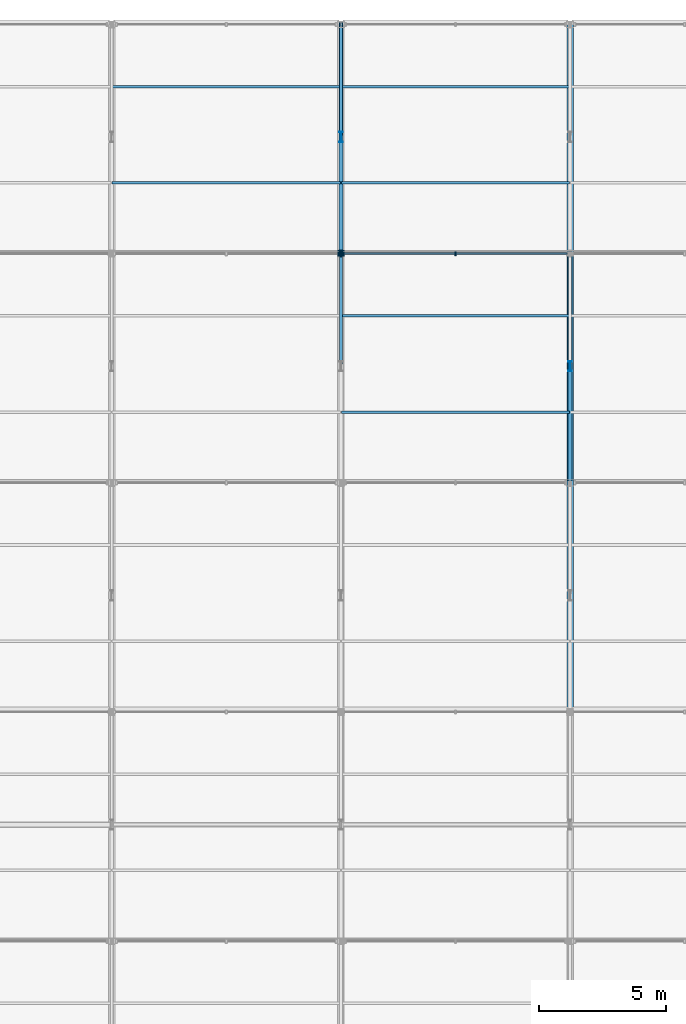
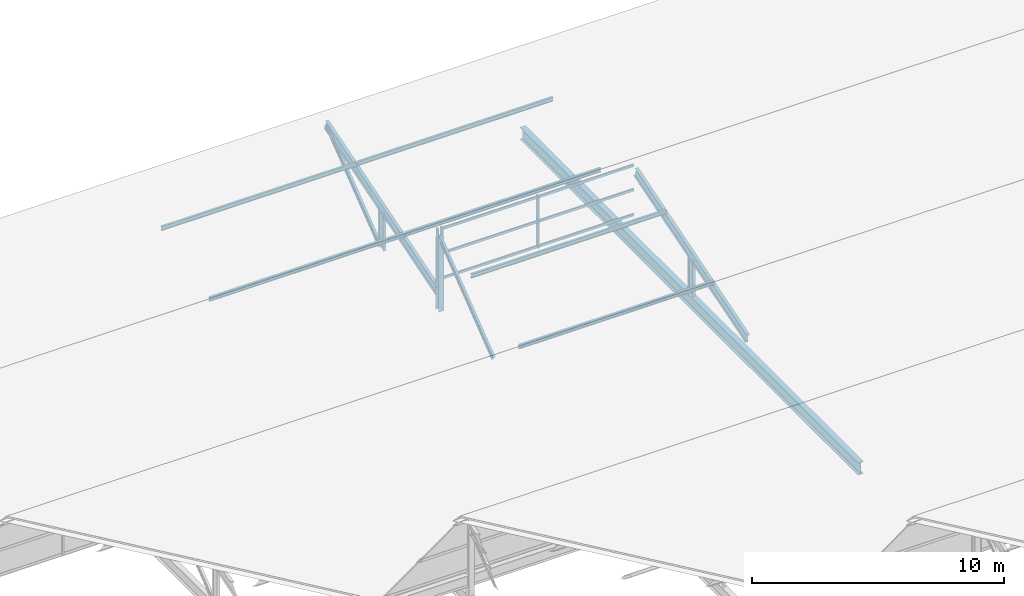
# One storey, part 98 of 163: 22 members, 1 beam, 2 elements without a shape of their own.
"""IFC4 building model written with IfcOpenShell, lengths in metres."""

import ifcopenshell
import ifcopenshell.guid

model = None  # the IFC model being written
_history = None  # IfcOwnerHistory: only IFC2X3 demands one
_inside = {}  # id of a spatial element -> (the spatial element, [elements in it])
_under = {}  # id of a project, library or spatial element -> (it, [spatial elements below it])
_declared = {}  # id of a project -> (the project, [libraries it declares])
_typed = {}  # id of a type object -> (the type object, [elements of that type])
_made_of = {}  # id of a material, layer set ... -> (it, [elements and type objects made of it])


def new_model(schema):
    """Start an empty IFC model of exactly this schema.

    Asked for "IFC4X3", IfcOpenShell would pick the latest addendum, in which some entities
    have other attributes; the version numbers below select the first issue.
    IFC2X3 requires an IfcOwnerHistory on every rooted entity: one is made here for all.
    """
    global model, _history
    if schema == "IFC4X3":
        model = ifcopenshell.file(schema_version=(4, 3, 0, 0))
    else:
        model = ifcopenshell.file(schema=schema)
    _inside.clear()
    _under.clear()
    _declared.clear()
    _typed.clear()
    _made_of.clear()
    _history = None
    if model.schema == "IFC2X3":
        org = make("IfcOrganization", Name="unknown")
        user = make(
            "IfcPersonAndOrganization",
            ThePerson=make("IfcPerson", FamilyName="unknown"),
            TheOrganization=org,
        )
        app = make(
            "IfcApplication",
            ApplicationDeveloper=org,
            Version="unknown",
            ApplicationFullName="unknown",
            ApplicationIdentifier="unknown",
        )
        _history = make(
            "IfcOwnerHistory",
            OwningUser=user,
            OwningApplication=app,
            ChangeAction="ADDED",
            CreationDate=0,
        )
    return model


def make(cls, **values):
    """One entity of the class cls with the attributes given. An attribute that is None is left unset."""
    return model.create_entity(
        cls, **{name: value for name, value in values.items() if value is not None}
    )


def rooted(cls, **values):
    """An entity with a GlobalId (a new one), such as an element, a storey or a relation."""
    return make(cls, GlobalId=ifcopenshell.guid.new(), OwnerHistory=_history, **values)


def si_unit(unit_type, name, prefix=None):
    """IfcSIUnit, for example si_unit("LENGTHUNIT", "METRE", prefix="MILLI")."""
    return make("IfcSIUnit", UnitType=unit_type, Prefix=prefix, Name=name)


def assignment(units):
    """IfcUnitAssignment: the units of a project."""
    return None if units is None else make("IfcUnitAssignment", Units=units)


def point(xyz):
    """IfcCartesianPoint."""
    return None if xyz is None else make("IfcCartesianPoint", Coordinates=xyz)


def direction(xyz):
    """IfcDirection."""
    return None if xyz is None else make("IfcDirection", DirectionRatios=xyz)


def frame(location, z_axis=None, x_axis=None):
    """IfcAxis2Placement3D, a coordinate frame: its origin and axes. An axis left out is left unset."""
    return make(
        "IfcAxis2Placement3D",
        Location=point(location),
        Axis=direction(z_axis),
        RefDirection=direction(x_axis),
    )


def frame_2d(location, x_axis=None):
    """IfcAxis2Placement2D, a coordinate frame in the plane: its origin and x axis."""
    return make(
        "IfcAxis2Placement2D", Location=point(location), RefDirection=direction(x_axis)
    )


def origin():
    """The frame at (0, 0, 0) with its axes left unset."""
    return frame((0.0, 0.0, 0.0))


def origin_2d():
    """The frame at (0, 0) in the plane with its x axis left unset."""
    return frame_2d((0.0, 0.0))


def place(relative_to, where):
    """IfcLocalPlacement: puts the frame where relative to a parent placement (None: the world)."""
    return make(
        "IfcLocalPlacement", PlacementRelTo=relative_to, RelativePlacement=where
    )


def context(
    kind, dimensions, precision=None, world=None, true_north=None, identifier=None
):
    """IfcGeometricRepresentationContext, for example the 3D "Model" context."""
    return make(
        "IfcGeometricRepresentationContext",
        ContextIdentifier=identifier,
        ContextType=kind,
        CoordinateSpaceDimension=dimensions,
        Precision=precision,
        WorldCoordinateSystem=world,
        TrueNorth=true_north,
    )


def subcontext(parent, identifier, kind, view, scale=None):
    """IfcGeometricRepresentationSubContext, for example "Body" below "Model"."""
    return make(
        "IfcGeometricRepresentationSubContext",
        ContextIdentifier=identifier,
        ContextType=kind,
        ParentContext=parent,
        TargetScale=scale,
        TargetView=view,
    )


def project(units=None, contexts=None):
    """IfcProject with its units and contexts."""
    return rooted(
        "IfcProject",
        Name="project",
        RepresentationContexts=contexts,
        UnitsInContext=assignment(units),
    )


def spatial(cls, under=None, at=None, **own):
    """A site, building, storey or space (cls), placed at a placement, below another one or the project."""
    s = rooted(cls, ObjectPlacement=at, **own)
    if under is not None:
        _under.setdefault(under.id(), (under, []))[1].append(s)
    return s


def profile(cls, at=None, kind="AREA", **sizes):
    """A parametric profile (cls). Its sizes go by their IFC names, for example OverallWidth=200.0."""
    return make(cls, ProfileType=kind, Position=at, **sizes)


def rectangle(**sizes):
    """IfcRectangleProfileDef."""
    return profile("IfcRectangleProfileDef", **sizes)


def i_section(**sizes):
    """IfcIShapeProfileDef."""
    return profile("IfcIShapeProfileDef", **sizes)


def extrude(swept, where, along, depth):
    """IfcExtrudedAreaSolid: the profile swept, set in the frame where, extruded along a direction by depth."""
    return make(
        "IfcExtrudedAreaSolid",
        SweptArea=swept,
        Position=where,
        ExtrudedDirection=direction(along),
        Depth=depth,
    )


def shape(context_of_items, identifier, shape_type, items):
    """IfcShapeRepresentation: the items that make up one representation, for example the "Body"."""
    return make(
        "IfcShapeRepresentation",
        ContextOfItems=context_of_items,
        RepresentationIdentifier=identifier,
        RepresentationType=shape_type,
        Items=items,
    )


def material(Name=None, Category=None):
    """IfcMaterial."""
    return make("IfcMaterial", Name=Name, Category=Category)


def material_profile(
    of_material, cross_section, Name=None, Category=None, Priority=None
):
    """IfcMaterialProfile: a cross section and its material."""
    return make(
        "IfcMaterialProfile",
        Name=Name,
        Material=of_material,
        Profile=cross_section,
        Priority=Priority,
        Category=Category,
    )


def profile_set(profiles, Name=None, composite=None):
    """IfcMaterialProfileSet."""
    return make(
        "IfcMaterialProfileSet",
        Name=Name,
        MaterialProfiles=profiles,
        CompositeProfile=composite,
    )


def made_of(thing, what):
    """Note that an element or type object is made of a material, layer set ...; save() writes the relation."""
    if what is not None:
        _made_of.setdefault(what.id(), (what, []))[1].append(thing)
    return thing


def type_object(cls, material=None, **own):
    """A type object (cls), such as IfcWallType, which elements share."""
    return made_of(rooted(cls, **own), material)


def element(
    cls,
    number,
    at=None,
    inside=None,
    cuts=None,
    type_object=None,
    material=None,
    context=None,
    identifier="Body",
    shape_type=None,
    held_by="IfcProductDefinitionShape",
    body=None,
    shapes=None,
    **own,
):
    """One element of the class cls, such as IfcWall. Its Tag is "e" and its number.

    at: its placement. inside: the storey or other place that contains it. cuts: it is an
    opening in that element (IfcRelVoidsElement). A single representation is given by context,
    identifier, shape_type and body (its items); several are given by shapes. held_by: the class
    of the entity that holds the representations. save() writes the other relations.
    """
    e = rooted(cls, Tag="e%d" % number, ObjectPlacement=at, **own)
    if body is not None:
        shapes = [shape(context, identifier, shape_type, body)]
    if shapes is not None:
        e.Representation = make(held_by, Representations=shapes)
    if inside is not None:
        _inside.setdefault(inside.id(), (inside, []))[1].append(e)
    if cuts is not None:
        rooted(
            "IfcRelVoidsElement", RelatingBuildingElement=cuts, RelatedOpeningElement=e
        )
    if type_object is not None:
        _typed.setdefault(type_object.id(), (type_object, []))[1].append(e)
    return made_of(e, material)


def aggregate(whole, parts):
    """IfcRelAggregates: a whole, such as a stair, and the parts it consists of."""
    return rooted("IfcRelAggregates", RelatingObject=whole, RelatedObjects=parts)


def save(model, path):
    """Write the relations noted so far, then the file.

    IfcRelAggregates (storeys below a building ...), IfcRelContainedInSpatialStructure (elements
    in a storey), IfcRelDefinesByType, IfcRelAssociatesMaterial and IfcRelDeclares: one each for
    every whole, place, type object, material and project.
    """
    for whole, parts in _under.values():
        aggregate(whole, parts)
    for where, things in _inside.values():
        rooted(
            "IfcRelContainedInSpatialStructure",
            RelatedElements=things,
            RelatingStructure=where,
        )
    for kind, things in _typed.values():
        rooted("IfcRelDefinesByType", RelatedObjects=things, RelatingType=kind)
    for what, things in _made_of.values():
        rooted("IfcRelAssociatesMaterial", RelatedObjects=things, RelatingMaterial=what)
    for by, libraries in _declared.values():
        rooted("IfcRelDeclares", RelatingContext=by, RelatedDefinitions=libraries)
    model.write(path)


model = new_model("IFC4")

# Units and contexts
model_context = context("Model", 3, precision=1e-05, world=origin(), true_north=direction((0.0, 1.0)))
body_context = subcontext(model_context, "Body", "Model", "MODEL_VIEW")
ifc_project = project(units=[si_unit("LENGTHUNIT", "METRE"), si_unit("AREAUNIT", "SQUARE_METRE"), si_unit("VOLUMEUNIT", "CUBIC_METRE"), si_unit("PLANEANGLEUNIT", "RADIAN"), si_unit("MASSUNIT", "GRAM", prefix="KILO")], contexts=[model_context])

# Site, building, storey
site_placement = place(None, origin())
site = spatial("IfcSite", under=ifc_project, at=site_placement, CompositionType="ELEMENT")
building_placement = place(site_placement, origin())
building = spatial("IfcBuilding", under=site, at=building_placement, Name="Tharagai Park Tramway Depot", CompositionType="ELEMENT")
storey_placement = place(building_placement, frame((0.0, 0.0, 8.39990234375)))
storey = spatial("IfcBuildingStorey", under=building, at=storey_placement, Name="L02", CompositionType="ELEMENT", Elevation=8.39990234375)

# Beam
ifc_material_1 = material(Name="Steel E350", Category="steel")
ifc_material_profile_1 = material_profile(ifc_material_1, i_section(OverallWidth=0.25, OverallDepth=0.60009765625, WebThickness=0.01171875, FlangeThickness=0.023681640625, FilletRadius=0.01708984375, at=origin_2d()), Name="ISWB 600")
ifc_profile_set_1 = profile_set([ifc_material_profile_1], Name="Steel E350")
beam_type = type_object("IfcBeamType", Name="BM-01", PredefinedType="BEAM", material=ifc_profile_set_1)
beam_placement = place(storey_placement, frame((81.0, 117.080078125, -0.25), z_axis=(0.0, 1.0, 0.0), x_axis=(-1.0, 0.0, 0.0)))
element("IfcBeam", 1, at=beam_placement, inside=storey, type_object=beam_type, Name="Sawtooth Truss Bottom Tie Girder BM-01", PredefinedType="BEAM", context=body_context, shape_type="SweptSolid", body=[
    extrude(i_section(OverallWidth=0.25, OverallDepth=0.60009765625, WebThickness=0.01171875, FlangeThickness=0.023681640625, FilletRadius=0.01708984375, at=origin_2d()), origin(), (0.0, 0.0, 1.0), 26.83984375),
])

# Members
ifc_material_profile_2 = material_profile(ifc_material_1, i_section(OverallWidth=0.25, OverallDepth=0.25, WebThickness=0.0087890625, FlangeThickness=0.009765625, FilletRadius=0.010009765625, at=origin_2d()), Name="ISHB 250")
ifc_profile_set_2 = profile_set([ifc_material_profile_2], Name="Steel E350")
member_type_1 = type_object("IfcMemberType", Name="BR-01", PredefinedType="BRACE", material=ifc_profile_set_2)
member_1_placement = place(storey_placement, frame((72.0, 134.919921875, -0.25), z_axis=(0.0, 0.0, 1.0), x_axis=(1.0, 0.0, 0.0)))
element("IfcMember", 2, at=member_1_placement, inside=storey, type_object=member_type_1, Name="Sawtooth North Vertical Post BR-01", PredefinedType="BRACE", context=body_context, shape_type="SweptSolid", body=[
    extrude(i_section(OverallWidth=0.25, OverallDepth=0.25, WebThickness=0.0087890625, FlangeThickness=0.009765625, FilletRadius=0.010009765625, at=origin_2d()), origin(), (0.0, 0.0, 1.0), 3.55517578125),
])
ifc_material_profile_3 = material_profile(ifc_material_1, i_section(OverallWidth=0.110107421875, OverallDepth=0.22509765625, WebThickness=0.006591796875, FlangeThickness=0.01171875, FilletRadius=0.011962890625, at=origin_2d()), Name="ISMB 225")
ifc_profile_set_3 = profile_set([ifc_material_profile_3], Name="Steel E350")
member_type_2 = type_object("IfcMemberType", Name="BR-04", PredefinedType="BRACE", material=ifc_profile_set_3)
for number, where, z_axis, x_axis, name in (
    (3, (72.0, 130.64990234375, 0.0), (0.0, 0.790781596, 0.612098413188), (-1.0, 0.0, 0.0), "Sawtooth Truss Web Diagonal BR-04"),
    (4, (72.0, 139.64990234375, 0.0), (0.0, 0.790781596, 0.612098413188), (-1.0, 0.0, 0.0), "Sawtooth Truss Web Diagonal BR-04"),
):
    element("IfcMember", number, at=place(storey_placement, frame(where, z_axis=z_axis, x_axis=x_axis)), inside=storey, type_object=member_type_2, Name=name, PredefinedType="BRACE", context=body_context, shape_type="SweptSolid", body=[
        extrude(i_section(OverallWidth=0.110107421875, OverallDepth=0.22509765625, WebThickness=0.006591796875, FlangeThickness=0.01171875, FilletRadius=0.011962890625, at=origin_2d()), origin(), (0.0, 0.0, 1.0), 5.399658203125),
    ])

# Curtain wall, members
ifc_material_2 = material(Name="Anodised aluminium", Category="aluminium")
curtain_wall_type = type_object("IfcCurtainWallType", Name="CW-04", PredefinedType="NOTDEFINED", material=ifc_material_2)
curtain_wall_1_placement = place(storey_placement, origin())
curtain_wall_1 = element("IfcCurtainWall", 5, at=curtain_wall_1_placement, inside=storey, type_object=curtain_wall_type, Name="Sawtooth North-Light Clerestory CW-04", PredefinedType="NOTDEFINED")
ifc_material_profile_4 = material_profile(ifc_material_2, rectangle(XDim=0.06494140625, YDim=0.1201171875, at=origin_2d()), Name="ALU 65x120")
ifc_profile_set_4 = profile_set([ifc_material_profile_4], Name="Anodised aluminium")
member_type_3 = type_object("IfcMemberType", Name="CM-01", PredefinedType="USERDEFINED", material=ifc_profile_set_4)
member_2_placement = place(storey_placement, frame((72.114990234375, 134.919921875, 1.26513671875), z_axis=(1.0, 0.0, 0.0), x_axis=(0.0, 1.0, 0.0)))
member_2 = element("IfcMember", 6, at=member_2_placement, type_object=member_type_3, Name="Sawtooth North-Light Clerestory Transom 1.1", ObjectType="TRANSOM", PredefinedType="USERDEFINED", context=body_context, shape_type="SweptSolid", body=[
    extrude(rectangle(XDim=0.06494140625, YDim=0.1201171875, at=origin_2d()), origin(), (0.0, 0.0, 1.0), 4.3701171875),
])
member_3_placement = place(storey_placement, frame((72.114990234375, 134.919921875, 2.4736328125), z_axis=(1.0, 0.0, 0.0), x_axis=(0.0, 1.0, 0.0)))
member_3 = element("IfcMember", 7, at=member_3_placement, type_object=member_type_3, Name="Sawtooth North-Light Clerestory Transom 1.2", ObjectType="TRANSOM", PredefinedType="USERDEFINED", context=body_context, shape_type="SweptSolid", body=[
    extrude(rectangle(XDim=0.06494140625, YDim=0.1201171875, at=origin_2d()), origin(), (0.0, 0.0, 1.0), 4.3701171875),
])
member_4_placement = place(storey_placement, frame((72.114990234375, 134.919921875, 3.662353515625), z_axis=(1.0, 0.0, 0.0), x_axis=(0.0, 1.0, 0.0)))
member_4 = element("IfcMember", 8, at=member_4_placement, type_object=member_type_3, Name="Sawtooth North-Light Clerestory Transom 1.3", ObjectType="TRANSOM", PredefinedType="USERDEFINED", context=body_context, shape_type="SweptSolid", body=[
    extrude(rectangle(XDim=0.06494140625, YDim=0.1201171875, at=origin_2d()), origin(), (0.0, 0.0, 1.0), 4.3701171875),
])
member_5_placement = place(storey_placement, frame((76.514892578125, 134.919921875, 1.26513671875), z_axis=(1.0, 0.0, 0.0), x_axis=(0.0, 1.0, 0.0)))
member_5 = element("IfcMember", 9, at=member_5_placement, type_object=member_type_3, Name="Sawtooth North-Light Clerestory Transom 2.1", ObjectType="TRANSOM", PredefinedType="USERDEFINED", context=body_context, shape_type="SweptSolid", body=[
    extrude(rectangle(XDim=0.06494140625, YDim=0.1201171875, at=origin_2d()), origin(), (0.0, 0.0, 1.0), 4.3701171875),
])
member_6_placement = place(storey_placement, frame((76.514892578125, 134.919921875, 2.4736328125), z_axis=(1.0, 0.0, 0.0), x_axis=(0.0, 1.0, 0.0)))
member_6 = element("IfcMember", 10, at=member_6_placement, type_object=member_type_3, Name="Sawtooth North-Light Clerestory Transom 2.2", ObjectType="TRANSOM", PredefinedType="USERDEFINED", context=body_context, shape_type="SweptSolid", body=[
    extrude(rectangle(XDim=0.06494140625, YDim=0.1201171875, at=origin_2d()), origin(), (0.0, 0.0, 1.0), 4.3701171875),
])
member_7_placement = place(storey_placement, frame((76.514892578125, 134.919921875, 3.662353515625), z_axis=(1.0, 0.0, 0.0), x_axis=(0.0, 1.0, 0.0)))
member_7 = element("IfcMember", 11, at=member_7_placement, type_object=member_type_3, Name="Sawtooth North-Light Clerestory Transom 2.3", ObjectType="TRANSOM", PredefinedType="USERDEFINED", context=body_context, shape_type="SweptSolid", body=[
    extrude(rectangle(XDim=0.06494140625, YDim=0.1201171875, at=origin_2d()), origin(), (0.0, 0.0, 1.0), 4.3701171875),
])

# Curtain wall, member
curtain_wall_2_placement = place(storey_placement, origin())
curtain_wall_2 = element("IfcCurtainWall", 12, at=curtain_wall_2_placement, inside=storey, type_object=curtain_wall_type, Name="Sawtooth North-Light Clerestory CW-04", PredefinedType="NOTDEFINED")
ifc_material_profile_5 = material_profile(ifc_material_2, rectangle(XDim=0.06494140625, YDim=0.14990234375, at=origin_2d()), Name="ALU 65x150")
ifc_profile_set_5 = profile_set([ifc_material_profile_5], Name="Anodised aluminium")
member_type_4 = type_object("IfcMemberType", Name="CM-03", PredefinedType="MULLION", material=ifc_profile_set_5)
member_8_placement = place(storey_placement, frame((71.89990234375, 134.919921875, 1.2001953125), z_axis=(0.0, 0.0, 1.0), x_axis=(1.0, 0.0, 0.0)))
member_8 = element("IfcMember", 13, at=member_8_placement, type_object=member_type_4, Name="Sawtooth North-Light Clerestory Mullion 3", PredefinedType="MULLION", context=body_context, shape_type="SweptSolid", body=[
    extrude(rectangle(XDim=0.06494140625, YDim=0.14990234375, at=origin_2d()), origin(), (0.0, 0.0, 1.0), 2.547119140625),
])
aggregate(curtain_wall_2, [member_8])

# Member
member_9_placement = place(storey_placement, frame((72.10009765625, 134.919921875, 1.2001953125), z_axis=(0.0, 0.0, 1.0), x_axis=(1.0, 0.0, 0.0)))
member_9 = element("IfcMember", 14, at=member_9_placement, type_object=member_type_4, Name="Sawtooth North-Light Clerestory Mullion 1", PredefinedType="MULLION", context=body_context, shape_type="SweptSolid", body=[
    extrude(rectangle(XDim=0.06494140625, YDim=0.14990234375, at=origin_2d()), origin(), (0.0, 0.0, 1.0), 2.547119140625),
])

member_10_placement = place(storey_placement, frame((76.5, 134.919921875, 1.2001953125), z_axis=(0.0, 0.0, 1.0), x_axis=(1.0, 0.0, 0.0)))
member_10 = element("IfcMember", 15, at=member_10_placement, type_object=member_type_4, Name="Sawtooth North-Light Clerestory Mullion 2", PredefinedType="MULLION", context=body_context, shape_type="SweptSolid", body=[
    extrude(rectangle(XDim=0.06494140625, YDim=0.14990234375, at=origin_2d()), origin(), (0.0, 0.0, 1.0), 2.547119140625),
])

aggregate(curtain_wall_1, [member_9, member_10, member_2, member_3, member_4, member_5, member_6, member_7])

# Members
ifc_material_3 = material(Name="Steel E250", Category="steel")
ifc_material_profile_6 = material_profile(ifc_material_3, i_section(OverallWidth=0.10009765625, OverallDepth=0.199951171875, WebThickness=0.00537109375, FlangeThickness=0.00732421875, FilletRadius=0.009033203125, at=origin_2d()), Name="ISLB 200")
ifc_profile_set_6 = profile_set([ifc_material_profile_6], Name="Steel E250")
member_type_5 = type_object("IfcMemberType", Name="PR-03", PredefinedType="PURLIN", material=ifc_profile_set_6)
for number, where, z_axis, x_axis, name in (
    (16, (63.02001953125, 137.699951171875, 1.733154296875), (1.0, 0.0, 0.0), (0.0, 1.0, 0.0), "Sawtooth Roof Purlin PR-03"),
    (17, (63.02001953125, 141.47998046875, 2.87451171875), (1.0, 0.0, 0.0), (0.0, 1.0, 0.0), "Sawtooth Roof Purlin PR-03"),
    (18, (72.02001953125, 137.699951171875, 1.733154296875), (1.0, 0.0, 0.0), (0.0, 1.0, 0.0), "Sawtooth Roof Purlin PR-03"),
    (19, (72.02001953125, 141.47998046875, 2.87451171875), (1.0, 0.0, 0.0), (0.0, 1.0, 0.0), "Sawtooth Roof Purlin PR-03"),
):
    element("IfcMember", number, at=place(storey_placement, frame(where, z_axis=z_axis, x_axis=x_axis)), inside=storey, type_object=member_type_5, Name=name, PredefinedType="PURLIN", context=body_context, shape_type="SweptSolid", body=[
        extrude(i_section(OverallWidth=0.10009765625, OverallDepth=0.199951171875, WebThickness=0.00537109375, FlangeThickness=0.00732421875, FilletRadius=0.009033203125, at=origin_2d()), origin(), (0.0, 0.0, 1.0), 8.9599609375),
    ])
ifc_material_profile_7 = material_profile(ifc_material_3, i_section(OverallWidth=0.10009765625, OverallDepth=0.199951171875, WebThickness=0.005615234375, FlangeThickness=0.0107421875, FilletRadius=0.010986328125, at=origin_2d()), Name="ISMB 200")
ifc_profile_set_7 = profile_set([ifc_material_profile_7], Name="Steel E250")
member_type_6 = type_object("IfcMemberType", Name="PR-04", PredefinedType="PURLIN", material=ifc_profile_set_7)
for number, where, z_axis, x_axis, name in (
    (20, (72.02001953125, 128.699951171875, 1.733154296875), (1.0, 0.0, 0.0), (0.0, 1.0, 0.0), "Sawtooth Roof Purlin PR-04"),
    (21, (72.02001953125, 132.47998046875, 2.87451171875), (1.0, 0.0, 0.0), (0.0, 1.0, 0.0), "Sawtooth Roof Purlin PR-04"),
):
    element("IfcMember", number, at=place(storey_placement, frame(where, z_axis=z_axis, x_axis=x_axis)), inside=storey, type_object=member_type_6, Name=name, PredefinedType="PURLIN", context=body_context, shape_type="SweptSolid", body=[
        extrude(i_section(OverallWidth=0.10009765625, OverallDepth=0.199951171875, WebThickness=0.005615234375, FlangeThickness=0.0107421875, FilletRadius=0.010986328125, at=origin_2d()), origin(), (0.0, 0.0, 1.0), 8.9599609375),
    ])
ifc_material_profile_8 = material_profile(ifc_material_1, i_section(OverallWidth=0.14990234375, OverallDepth=0.449951171875, WebThickness=0.009521484375, FlangeThickness=0.017333984375, FilletRadius=0.014892578125, at=origin_2d()), Name="ISMB 450")
ifc_profile_set_8 = profile_set([ifc_material_profile_8], Name="Steel E350")
member_type_7 = type_object("IfcMemberType", Name="TC-05", PredefinedType="CHORD", material=ifc_profile_set_8)
for number, where, z_axis, x_axis, name in (
    (22, (72.0, 135.06005859375, 0.587890625), (0.0, 0.956231486327, 0.29261125159), (-1.0, 0.0, 0.0), "Sawtooth Top Chord TC-05"),
    (23, (81.0, 126.06005859375, 0.587890625), (0.0, 0.956231486327, 0.29261125159), (-1.0, 0.0, 0.0), "Sawtooth Top Chord TC-05"),
):
    element("IfcMember", number, at=place(storey_placement, frame(where, z_axis=z_axis, x_axis=x_axis)), inside=storey, type_object=member_type_7, Name=name, PredefinedType="CHORD", context=body_context, shape_type="SweptSolid", body=[
        extrude(i_section(OverallWidth=0.14990234375, OverallDepth=0.449951171875, WebThickness=0.009521484375, FlangeThickness=0.017333984375, FilletRadius=0.014892578125, at=origin_2d()), origin(), (0.0, 0.0, 1.0), 9.286376953125),
    ])
ifc_material_profile_9 = material_profile(ifc_material_1, i_section(OverallWidth=0.139892578125, OverallDepth=0.39990234375, WebThickness=0.0087890625, FlangeThickness=0.01611328125, FilletRadius=0.013916015625, at=origin_2d()), Name="ISMB 400")
ifc_profile_set_9 = profile_set([ifc_material_profile_9], Name="Steel E350")
member_type_8 = type_object("IfcMemberType", Name="TC-06", PredefinedType="CHORD", material=ifc_profile_set_9)
for number, where, z_axis, x_axis, name in (
    (24, (72.0, 139.5, -0.0498046875), (0.0, 0.0, 1.0), (1.0, 0.0, 0.0), "Sawtooth Mid-Tooth Strut TC-06"),
    (25, (81.0, 130.5, -0.0498046875), (0.0, 0.0, 1.0), (1.0, 0.0, 0.0), "Sawtooth Mid-Tooth Strut TC-06"),
):
    element("IfcMember", number, at=place(storey_placement, frame(where, z_axis=z_axis, x_axis=x_axis)), inside=storey, type_object=member_type_8, Name=name, PredefinedType="CHORD", context=body_context, shape_type="SweptSolid", body=[
        extrude(i_section(OverallWidth=0.139892578125, OverallDepth=0.39990234375, WebThickness=0.0087890625, FlangeThickness=0.01611328125, FilletRadius=0.013916015625, at=origin_2d()), origin(), (0.0, 0.0, 1.0), 1.846435546875),
    ])

save(model, "model.ifc")
